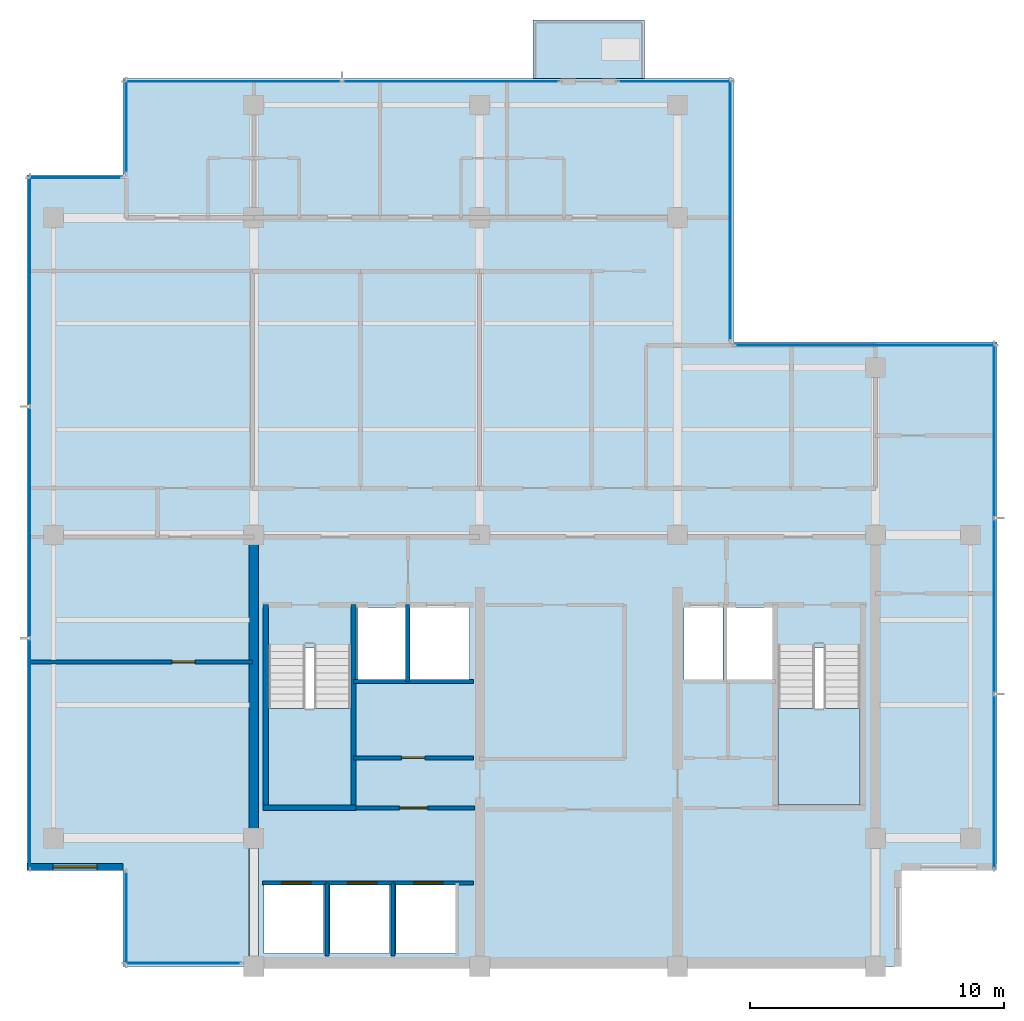
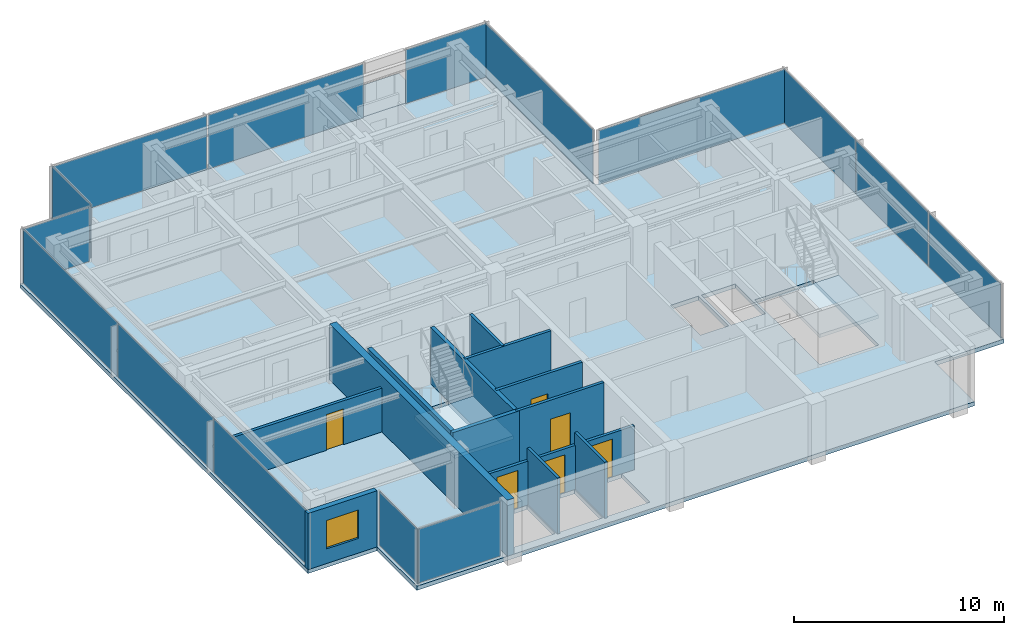
# One storey, part 5 of 11: 15 plates, 13 walls, 6 doors, 4 slabs, 1 window, 7 openings, 12 elements without a shape of their own.
"""IFC4 building model written with IfcOpenShell, lengths in metres."""

from ifc_helpers import new_model, si_unit, direction, frame, frame_2d, origin, origin_2d, place, context, subcontext, project, spatial, polyline, rectangle, outline, extrude, material, layer, layer_set, type_object, element, fill, aggregate, save


model = new_model("IFC4")

# Units and contexts
model_context = context("Model", 3, precision=1e-05, world=origin(), true_north=direction((0.0, 1.0)))
body_context = subcontext(model_context, "Body", "Model", "MODEL_VIEW")
ifc_project = project(units=[si_unit("LENGTHUNIT", "METRE"), si_unit("AREAUNIT", "SQUARE_METRE"), si_unit("VOLUMEUNIT", "CUBIC_METRE"), si_unit("PLANEANGLEUNIT", "RADIAN"), si_unit("MASSUNIT", "GRAM", prefix="KILO")], contexts=[model_context])

# Site, building, storey
site_placement = place(None, origin())
site = spatial("IfcSite", under=ifc_project, at=site_placement, CompositionType="ELEMENT")
building_placement = place(site_placement, origin())
building = spatial("IfcBuilding", under=site, at=building_placement, Name="Qalmaran Belvedere Hotel", CompositionType="ELEMENT")
storey_placement = place(building_placement, frame((0.0, 0.0, 259.89990234375)))
storey = spatial("IfcBuildingStorey", under=building, at=storey_placement, Name="L67", CompositionType="ELEMENT", Elevation=259.89990234375)

# Curtain wall, plate
ifc_material_1 = material(Name="Anodised Bronze Aluminium", Category="aluminium")
ifc_layer_1 = layer(ifc_material_1, 0.18505859375, Name="Anodised Bronze Aluminium")
ifc_layer_set_1 = layer_set([ifc_layer_1], Name="Anodised Bronze Aluminium")
curtain_wall_type = type_object("IfcCurtainWallType", Name="CW6-TOWER-SKY", PredefinedType="NOTDEFINED", material=ifc_layer_set_1)
curtain_wall_1_placement = place(storey_placement, origin())
curtain_wall_1 = element("IfcCurtainWall", 1, at=curtain_wall_1_placement, inside=storey, type_object=curtain_wall_type, Name="L67 Curtain Wall CW6", PredefinedType="NOTDEFINED")
ifc_material_2 = material(Name="Solar-Control Double Glazing", Category="glass")
ifc_layer_2 = layer(ifc_material_2, 0.028076171875, Name="Solar-Control Double Glazing")
ifc_layer_set_2 = layer_set([ifc_layer_2], Name="Solar-Control Double Glazing")
plate_type = type_object("IfcPlateType", Name="CWP-VISION-28", PredefinedType="CURTAIN_PANEL", material=ifc_layer_set_2)
plate_1_placement = place(storey_placement, frame((17.5048828125, 3.6201171875, 0.065185546875), z_axis=(0.0, 0.0, 1.0), x_axis=(1.0, 0.0, 0.0)))
plate_1 = element("IfcPlate", 2, at=plate_1_placement, type_object=plate_type, Name="CW6 panel 1.1", PredefinedType="CURTAIN_PANEL", context=body_context, shape_type="SweptSolid", body=[
    extrude(rectangle(XDim=4.580078125, YDim=0.028076171875, at=origin_2d()), origin(), (0.0, 0.0, 1.0), 3.1298828125),
])
aggregate(curtain_wall_1, [plate_1])

# Curtain wall, plates
curtain_wall_2_placement = place(storey_placement, origin())
curtain_wall_2 = element("IfcCurtainWall", 3, at=curtain_wall_2_placement, inside=storey, type_object=curtain_wall_type, Name="L67 Curtain Wall CW6", PredefinedType="NOTDEFINED")
plate_2_placement = place(storey_placement, frame((49.47998046875, 10.782958984375, 0.065185546875), z_axis=(0.0, 0.0, 1.0), x_axis=(0.0, 1.0, 0.0)))
plate_2 = element("IfcPlate", 4, at=plate_2_placement, type_object=plate_type, Name="CW6 panel 1.1", PredefinedType="CURTAIN_PANEL", context=body_context, shape_type="SweptSolid", body=[
    extrude(rectangle(XDim=6.8359375, YDim=0.028076171875, at=origin_2d()), origin(), (0.0, 0.0, 1.0), 3.1298828125),
])
plate_3_placement = place(storey_placement, frame((49.47998046875, 17.699951171875, 0.065185546875), z_axis=(0.0, 0.0, 1.0), x_axis=(0.0, 1.0, 0.0)))
plate_3 = element("IfcPlate", 5, at=plate_3_placement, type_object=plate_type, Name="CW6 panel 2.1", PredefinedType="CURTAIN_PANEL", context=body_context, shape_type="SweptSolid", body=[
    extrude(rectangle(XDim=6.868408203125, YDim=0.028076171875, at=origin_2d()), origin(), (0.0, 0.0, 1.0), 3.1298828125),
])
plate_4_placement = place(storey_placement, frame((49.47998046875, 24.6171875, 0.065185546875), z_axis=(0.0, 0.0, 1.0), x_axis=(0.0, 1.0, 0.0)))
plate_4 = element("IfcPlate", 6, at=plate_4_placement, type_object=plate_type, Name="CW6 panel 3.1", PredefinedType="CURTAIN_PANEL", context=body_context, shape_type="SweptSolid", body=[
    extrude(rectangle(XDim=6.8359375, YDim=0.028076171875, at=origin_2d()), origin(), (0.0, 0.0, 1.0), 3.1298828125),
])
aggregate(curtain_wall_2, [plate_2, plate_3, plate_4])

# Curtain wall, plate
curtain_wall_3_placement = place(storey_placement, origin())
curtain_wall_3 = element("IfcCurtainWall", 7, at=curtain_wall_3_placement, inside=storey, type_object=curtain_wall_type, Name="L67 Curtain Wall CW6", PredefinedType="NOTDEFINED")
plate_5_placement = place(storey_placement, frame((44.39990234375, 27.97998046875, 0.065185546875), z_axis=(0.0, 0.0, 1.0), x_axis=(-1.0, 0.0, 0.0)))
plate_5 = element("IfcPlate", 8, at=plate_5_placement, type_object=plate_type, Name="CW6 panel 1.1", PredefinedType="CURTAIN_PANEL", context=body_context, shape_type="SweptSolid", body=[
    extrude(rectangle(XDim=10.27001953125, YDim=0.028076171875, at=origin_2d()), origin(), (0.0, 0.0, 1.0), 3.1298828125),
])
aggregate(curtain_wall_3, [plate_5])

curtain_wall_4_placement = place(storey_placement, origin())
curtain_wall_4 = element("IfcCurtainWall", 9, at=curtain_wall_4_placement, inside=storey, type_object=curtain_wall_type, Name="L67 Curtain Wall CW6", PredefinedType="NOTDEFINED")
plate_6_placement = place(storey_placement, frame((39.080078125, 33.300048828125, 0.065185546875), z_axis=(0.0, 0.0, 1.0), x_axis=(0.0, 1.0, 0.0)))
plate_6 = element("IfcPlate", 10, at=plate_6_placement, type_object=plate_type, Name="CW6 panel 1.1", PredefinedType="CURTAIN_PANEL", context=body_context, shape_type="SweptSolid", body=[
    extrude(rectangle(XDim=10.27001953125, YDim=0.028076171875, at=origin_2d()), origin(), (0.0, 0.0, 1.0), 3.1298828125),
])
aggregate(curtain_wall_4, [plate_6])

# Curtain wall, plates
curtain_wall_5_placement = place(storey_placement, origin())
curtain_wall_5 = element("IfcCurtainWall", 11, at=curtain_wall_5_placement, inside=storey, type_object=curtain_wall_type, Name="L67 Curtain Wall CW6", PredefinedType="NOTDEFINED")
plate_7_placement = place(storey_placement, frame((28.0712890625, 38.3798828125, 0.065185546875), z_axis=(0.0, 0.0, 1.0), x_axis=(-1.0, 0.0, 0.0)))
plate_7 = element("IfcPlate", 12, at=plate_7_placement, type_object=plate_type, Name="CW6 panel 1.1", PredefinedType="CURTAIN_PANEL", context=body_context, shape_type="SweptSolid", body=[
    extrude(rectangle(XDim=8.527587890625, YDim=0.028076171875, at=origin_2d()), origin(), (0.0, 0.0, 1.0), 3.1298828125),
])
plate_8_placement = place(storey_placement, frame((19.478759765625, 38.3798828125, 0.065185546875), z_axis=(0.0, 0.0, 1.0), x_axis=(-1.0, 0.0, 0.0)))
plate_8 = element("IfcPlate", 13, at=plate_8_placement, type_object=plate_type, Name="CW6 panel 2.1", PredefinedType="CURTAIN_PANEL", context=body_context, shape_type="SweptSolid", body=[
    extrude(rectangle(XDim=8.527587890625, YDim=0.028076171875, at=origin_2d()), origin(), (0.0, 0.0, 1.0), 3.1298828125),
])
aggregate(curtain_wall_5, [plate_7, plate_8])

# Curtain wall, plate
curtain_wall_6_placement = place(storey_placement, origin())
curtain_wall_6 = element("IfcCurtainWall", 14, at=curtain_wall_6_placement, inside=storey, type_object=curtain_wall_type, Name="L67 Curtain Wall CW6", PredefinedType="NOTDEFINED")
plate_9_placement = place(storey_placement, frame((36.89990234375, 38.3798828125, 0.065185546875), z_axis=(0.0, 0.0, 1.0), x_axis=(-1.0, 0.0, 0.0)))
plate_9 = element("IfcPlate", 15, at=plate_9_placement, type_object=plate_type, Name="CW6 panel 1.1", PredefinedType="CURTAIN_PANEL", context=body_context, shape_type="SweptSolid", body=[
    extrude(rectangle(XDim=4.469970703125, YDim=0.028076171875, at=origin_2d()), origin(), (0.0, 0.0, 1.0), 3.1298828125),
])
aggregate(curtain_wall_6, [plate_9])

curtain_wall_7_placement = place(storey_placement, origin())
curtain_wall_7 = element("IfcCurtainWall", 16, at=curtain_wall_7_placement, inside=storey, type_object=curtain_wall_type, Name="L67 Curtain Wall CW6", PredefinedType="NOTDEFINED")
plate_10_placement = place(storey_placement, frame((15.27001953125, 36.60009765625, 0.065185546875), z_axis=(0.0, 0.0, 1.0), x_axis=(0.0, -1.0, 0.0)))
plate_10 = element("IfcPlate", 17, at=plate_10_placement, type_object=plate_type, Name="CW6 panel 1.1", PredefinedType="CURTAIN_PANEL", context=body_context, shape_type="SweptSolid", body=[
    extrude(rectangle(XDim=3.669921875, YDim=0.028076171875, at=origin_2d()), origin(), (0.0, 0.0, 1.0), 3.1298828125),
])
aggregate(curtain_wall_7, [plate_10])

curtain_wall_8_placement = place(storey_placement, origin())
curtain_wall_8 = element("IfcCurtainWall", 18, at=curtain_wall_8_placement, inside=storey, type_object=curtain_wall_type, Name="L67 Curtain Wall CW6", PredefinedType="NOTDEFINED")
plate_11_placement = place(storey_placement, frame((13.25, 34.580078125, 0.065185546875), z_axis=(0.0, 0.0, 1.0), x_axis=(-1.0, 0.0, 0.0)))
plate_11 = element("IfcPlate", 19, at=plate_11_placement, type_object=plate_type, Name="CW6 panel 1.1", PredefinedType="CURTAIN_PANEL", context=body_context, shape_type="SweptSolid", body=[
    extrude(rectangle(XDim=3.669921875, YDim=0.028076171875, at=origin_2d()), origin(), (0.0, 0.0, 1.0), 3.1298828125),
])
aggregate(curtain_wall_8, [plate_11])

# Curtain wall, plates
curtain_wall_9_placement = place(storey_placement, origin())
curtain_wall_9 = element("IfcCurtainWall", 20, at=curtain_wall_9_placement, inside=storey, type_object=curtain_wall_type, Name="L67 Curtain Wall CW6", PredefinedType="NOTDEFINED")
plate_12_placement = place(storey_placement, frame((11.469970703125, 30.1171875, 0.065185546875), z_axis=(0.0, 0.0, 1.0), x_axis=(0.0, -1.0, 0.0)))
plate_12 = element("IfcPlate", 21, at=plate_12_placement, type_object=plate_type, Name="CW6 panel 1.1", PredefinedType="CURTAIN_PANEL", context=body_context, shape_type="SweptSolid", body=[
    extrude(rectangle(XDim=9.035888671875, YDim=0.028076171875, at=origin_2d()), origin(), (0.0, 0.0, 1.0), 3.1298828125),
])
plate_13_placement = place(storey_placement, frame((11.469970703125, 21.0, 0.065185546875), z_axis=(0.0, 0.0, 1.0), x_axis=(0.0, -1.0, 0.0)))
plate_13 = element("IfcPlate", 22, at=plate_13_placement, type_object=plate_type, Name="CW6 panel 2.1", PredefinedType="CURTAIN_PANEL", context=body_context, shape_type="SweptSolid", body=[
    extrude(rectangle(XDim=9.068359375, YDim=0.028076171875, at=origin_2d()), origin(), (0.0, 0.0, 1.0), 3.1298828125),
])
plate_14_placement = place(storey_placement, frame((11.469970703125, 11.8828125, 0.065185546875), z_axis=(0.0, 0.0, 1.0), x_axis=(0.0, -1.0, 0.0)))
plate_14 = element("IfcPlate", 23, at=plate_14_placement, type_object=plate_type, Name="CW6 panel 3.1", PredefinedType="CURTAIN_PANEL", context=body_context, shape_type="SweptSolid", body=[
    extrude(rectangle(XDim=9.035888671875, YDim=0.028076171875, at=origin_2d()), origin(), (0.0, 0.0, 1.0), 3.1298828125),
])
aggregate(curtain_wall_9, [plate_12, plate_13, plate_14])

# Curtain wall, plate
curtain_wall_10_placement = place(storey_placement, origin())
curtain_wall_10 = element("IfcCurtainWall", 24, at=curtain_wall_10_placement, inside=storey, type_object=curtain_wall_type, Name="L67 Curtain Wall CW6", PredefinedType="NOTDEFINED")
plate_15_placement = place(storey_placement, frame((15.27001953125, 5.39990234375, 0.065185546875), z_axis=(0.0, 0.0, 1.0), x_axis=(0.0, -1.0, 0.0)))
plate_15 = element("IfcPlate", 25, at=plate_15_placement, type_object=plate_type, Name="CW6 panel 1.1", PredefinedType="CURTAIN_PANEL", context=body_context, shape_type="SweptSolid", body=[
    extrude(rectangle(XDim=3.669921875, YDim=0.028076171875, at=origin_2d()), origin(), (0.0, 0.0, 1.0), 3.1298828125),
])
aggregate(curtain_wall_10, [plate_15])

# Slab
ifc_material_3 = material(Name="Concrete C40/50", Category="concrete")
ifc_layer_3 = layer(ifc_material_3, 0.219970703125, Name="Concrete C40/50")
ifc_layer_set_3 = layer_set([ifc_layer_3], Name="Concrete C40/50")
slab_type_1 = type_object("IfcSlabType", Name="SLB-BAL-220", PredefinedType="USERDEFINED", material=ifc_layer_set_3)
slab_1_placement = place(storey_placement, frame((0.0, 0.0, -0.219970703125)))
element("IfcSlab", 26, at=slab_1_placement, inside=storey, type_object=slab_type_1, Name="L67 Planted Tree Balcony Slab 1", ObjectType="BALCONY", PredefinedType="USERDEFINED", context=body_context, shape_type="SweptSolid", body=[
    extrude(outline(polyline([(31.300048828125, 38.5), (35.699951171875, 38.5), (35.699951171875, 40.800048828125), (31.300048828125, 40.800048828125), (31.300048828125, 38.5)])), origin(), (0.0, 0.0, 1.0), 0.219970703125),
])

# Stair, slab
stair_type_1 = type_object("IfcStairType", Name="STR-ST-1-1450-R1750", PredefinedType="HALF_TURN_STAIR", material=ifc_material_3)
stair_1_placement = place(storey_placement, origin())
stair_1 = element("IfcStair", 27, at=stair_1_placement, inside=storey, type_object=stair_type_1, Name="L67 West Core Exit Stair ST-1", PredefinedType="HALF_TURN_STAIR")
ifc_layer_4 = layer(ifc_material_3, 0.199951171875, Name="Concrete C40/50")
ifc_layer_set_4 = layer_set([ifc_layer_4], Name="Concrete C40/50")
slab_type_2 = type_object("IfcSlabType", Name="SLB-STAIR-LANDING-200", PredefinedType="LANDING", material=ifc_layer_set_4)
slab_2_placement = place(storey_placement, frame((0.0, 0.0, 1.550048828125)))
slab_2 = element("IfcSlab", 28, at=slab_2_placement, type_object=slab_type_2, Name="ST-1 landing 1", PredefinedType="LANDING", context=body_context, shape_type="SweptSolid", body=[
    extrude(outline(polyline([(20.8798828125, 13.669921875), (20.8798828125, 9.85009765625), (24.1201171875, 9.85009765625), (24.1201171875, 13.669921875), (20.8798828125, 13.669921875)])), origin(), (0.0, 0.0, 1.0), 0.199951171875),
])
aggregate(stair_1, [slab_2])

stair_type_2 = type_object("IfcStairType", Name="STR-ST-2-1450-R1750", PredefinedType="HALF_TURN_STAIR", material=ifc_material_3)
stair_2_placement = place(storey_placement, origin())
stair_2 = element("IfcStair", 29, at=stair_2_placement, inside=storey, type_object=stair_type_2, Name="L67 East Core Exit Stair ST-2", PredefinedType="HALF_TURN_STAIR")
slab_3_placement = place(storey_placement, frame((0.0, 0.0, 1.550048828125)))
slab_3 = element("IfcSlab", 30, at=slab_3_placement, type_object=slab_type_2, Name="ST-2 landing 1", PredefinedType="LANDING", context=body_context, shape_type="SweptSolid", body=[
    extrude(outline(polyline([(40.9599609375, 13.669921875), (40.9599609375, 9.85009765625), (44.199951171875, 9.85009765625), (44.199951171875, 13.669921875), (40.9599609375, 13.669921875)])), origin(), (0.0, 0.0, 1.0), 0.199951171875),
])
aggregate(stair_2, [slab_3])

# Slab
ifc_layer_5 = layer(ifc_material_3, 0.239990234375, Name="Concrete C40/50")
ifc_layer_set_5 = layer_set([ifc_layer_5], Name="Concrete C40/50")
slab_type_3 = type_object("IfcSlabType", Name="SLB-Z4-240", PredefinedType="FLOOR", material=ifc_layer_set_5)
slab_4_placement = place(storey_placement, frame((0.0, 0.0, -0.239990234375)))
element("IfcSlab", 31, at=slab_4_placement, inside=storey, type_object=slab_type_3, Name="L67 Structural Floor Slab", PredefinedType="FLOOR", context=body_context, shape_type="SweptSolid", body=[
    extrude(outline(polyline([(15.14990234375, 3.5), (45.800048828125, 3.5), (45.800048828125, 7.300048828125), (49.60009765625, 7.300048828125), (49.60009765625, 28.10009765625), (39.199951171875, 28.10009765625), (39.199951171875, 38.5), (15.14990234375, 38.5), (15.14990234375, 34.699951171875), (11.35009765625, 34.699951171875), (11.35009765625, 7.300048828125), (15.14990234375, 7.300048828125), (15.14990234375, 3.5)]), holes=[polyline([(20.8798828125, 9.85009765625), (24.1201171875, 9.85009765625), (24.1201171875, 16.0400390625), (20.8798828125, 16.0400390625), (20.8798828125, 9.85009765625)]), polyline([(40.9599609375, 9.85009765625), (44.199951171875, 9.85009765625), (44.199951171875, 16.0400390625), (40.9599609375, 16.0400390625), (40.9599609375, 9.85009765625)]), polyline([(20.699951171875, 4.0), (23.050048828125, 4.0), (23.050048828125, 6.699951171875), (20.699951171875, 6.699951171875), (20.699951171875, 4.0)]), polyline([(23.300048828125, 4.0), (25.64990234375, 4.0), (25.64990234375, 6.699951171875), (23.300048828125, 6.699951171875), (23.300048828125, 4.0)]), polyline([(25.89990234375, 4.0), (28.25, 4.0), (28.25, 6.699951171875), (25.89990234375, 6.699951171875), (25.89990234375, 4.0)]), polyline([(24.39990234375, 14.800048828125), (26.300048828125, 14.800048828125), (26.300048828125, 17.64990234375), (24.39990234375, 17.64990234375), (24.39990234375, 14.800048828125)]), polyline([(38.949951171875, 14.800048828125), (40.820068359375, 14.800048828125), (40.820068359375, 17.64990234375), (38.949951171875, 17.64990234375), (38.949951171875, 14.800048828125)]), polyline([(26.449951171875, 14.800048828125), (28.800048828125, 14.800048828125), (28.800048828125, 17.64990234375), (26.449951171875, 17.64990234375), (26.449951171875, 14.800048828125)]), polyline([(37.25, 14.800048828125), (38.800048828125, 14.800048828125), (38.800048828125, 17.64990234375), (37.25, 17.64990234375), (37.25, 14.800048828125)])]), origin(), (0.0, 0.0, 1.0), 0.239990234375),
])

# Wall
ifc_material_4 = material(Name="Concrete C50/60", Category="concrete")
ifc_layer_6 = layer(ifc_material_4, 0.3798828125, Name="Concrete C50/60")
ifc_layer_set_6 = layer_set([ifc_layer_6], Name="Concrete C50/60")
wall_type_1 = type_object("IfcWallType", Name="WL-CORE-380-C50", PredefinedType="SHEAR", material=ifc_layer_set_6)
wall_1_placement = place(storey_placement, frame((20.300048828125, 3.5, 0.0), z_axis=(0.0, 0.0, 1.0), x_axis=(0.0, 1.0, 0.0)))
element("IfcWall", 32, at=wall_1_placement, inside=storey, type_object=wall_type_1, Name="L67 West Core Shear Wall", PredefinedType="SHEAR", context=body_context, shape_type="SweptSolid", body=[
    extrude(rectangle(XDim=16.89990234375, YDim=0.3798828125, at=frame_2d((8.449951171875, 0.0))), origin(), (0.0, 0.0, 1.0), 3.260009765625),
])

# Wall, opening, window
ifc_material_5 = material(Name="Anodised Bronze Cladding")
ifc_layer_7 = layer(ifc_material_5, 0.280029296875, Name="Anodised Bronze Cladding")
ifc_layer_set_7 = layer_set([ifc_layer_7], Name="Anodised Bronze Cladding")
wall_type_2 = type_object("IfcWallType", Name="WL-EXT-BRNZ-280", PredefinedType="SOLIDWALL", material=ifc_layer_set_7)
wall_2_placement = place(storey_placement, frame((11.35009765625, 7.419921875, 0.0), z_axis=(0.0, 0.0, 1.0), x_axis=(1.0, 0.0, 0.0)))
wall_2 = element("IfcWall", 33, at=wall_2_placement, inside=storey, type_object=wall_type_2, Name="L67 Corner Notch Wall 10", PredefinedType="SOLIDWALL", context=body_context, shape_type="SweptSolid", body=[
    extrude(rectangle(XDim=3.7998046875, YDim=0.280029296875, at=frame_2d((1.89990234375, 0.0))), origin(), (0.0, 0.0, 1.0), 3.260009765625),
])
opening_1_placement = place(wall_2_placement, frame((1.02490234375, 0.0, 0.85009765625)))
opening_1 = element("IfcOpeningElement", 34, at=opening_1_placement, cuts=wall_2, Name="Opening W-N17", PredefinedType="OPENING", context=body_context, shape_type="SweptSolid", body=[
    extrude(rectangle(XDim=1.75, YDim=1.64990234375, at=frame_2d((0.875, 0.824951171875))), frame((0.0, 0.14990234375, 0.0), z_axis=(0.0, -1.0, 0.0), x_axis=(1.0, 0.0, 0.0)), (0.0, 0.0, 1.0), 0.300048828125),
])
window_type = type_object("IfcWindowType", Name="WN-NTC-1750X1650", PartitioningType="SINGLE_PANEL", PredefinedType="WINDOW", material=ifc_material_2)
window_placement = place(opening_1_placement, origin())
window = element("IfcWindow", 35, at=window_placement, inside=storey, type_object=window_type, Name="L67 Corner Notch Window 10", OverallHeight=1.64990234375, OverallWidth=1.75, PartitioningType="SINGLE_PANEL", PredefinedType="WINDOW", context=body_context, shape_type="SweptSolid", body=[
    extrude(rectangle(XDim=1.75, YDim=1.64990234375, at=frame_2d((0.875, 0.824951171875))), frame((0.0, 0.030029296875, 0.0), z_axis=(0.0, -1.0, 0.0), x_axis=(1.0, 0.0, 0.0)), (0.0, 0.0, 1.0), 0.06005859375),
])
fill(opening_1, window)

# Walls
ifc_material_6 = material(Name="Gypsum Stud Partition")
ifc_layer_8 = layer(ifc_material_6, 0.14990234375, Name="Gypsum Stud Partition")
ifc_layer_set_8 = layer_set([ifc_layer_8], Name="Gypsum Stud Partition")
wall_type_3 = type_object("IfcWallType", Name="WL-INT-150-EI120", PredefinedType="PARTITIONING", material=ifc_layer_set_8)
wall_3_placement = place(storey_placement, frame((26.360107421875, 14.719970703125, 0.0), z_axis=(0.0, 0.0, 1.0), x_axis=(0.0, 1.0, 0.0)))
element("IfcWall", 36, at=wall_3_placement, inside=storey, type_object=wall_type_3, Name="L67 Partition WL-FF1M-L67", PredefinedType="PARTITIONING", context=body_context, shape_type="SweptSolid", body=[
    extrude(rectangle(XDim=3.0400390625, YDim=0.14990234375, at=frame_2d((1.52001953125, 0.0))), origin(), (0.0, 0.0, 1.0), 3.260009765625),
])
for number, where, z_axis, x_axis, name in (
    (37, (23.179931640625, 3.89990234375, 0.0), (0.0, 0.0, 1.0), (0.0, 1.0, 0.0), "L67 Partition WL-POM1-L67"),
    (38, (25.780029296875, 3.89990234375, 0.0), (0.0, 0.0, 1.0), (0.0, 1.0, 0.0), "L67 Partition WL-POM2-L67"),
):
    element("IfcWall", number, at=place(storey_placement, frame(where, z_axis=z_axis, x_axis=x_axis)), inside=storey, type_object=wall_type_3, Name=name, PredefinedType="PARTITIONING", context=body_context, shape_type="SweptSolid", body=[
        extrude(rectangle(XDim=2.880126953125, YDim=0.14990234375, at=frame_2d((1.43994140625, 0.0))), origin(), (0.0, 0.0, 1.0), 3.260009765625),
    ])
ifc_layer_9 = layer(ifc_material_6, 0.159912109375, Name="Gypsum Stud Partition")
ifc_layer_set_9 = layer_set([ifc_layer_9], Name="Gypsum Stud Partition")
wall_type_4 = type_object("IfcWallType", Name="WL-INT-160-EI120", PredefinedType="PARTITIONING", material=ifc_layer_set_9)
wall_4_placement = place(storey_placement, frame((24.219970703125, 14.719970703125, 0.0), z_axis=(0.0, 0.0, 1.0), x_axis=(1.0, 0.0, 0.0)))
element("IfcWall", 39, at=wall_4_placement, inside=storey, type_object=wall_type_4, Name="L67 Partition WL-FF1S-L67", PredefinedType="PARTITIONING", context=body_context, shape_type="SweptSolid", body=[
    extrude(rectangle(XDim=4.72998046875, YDim=0.159912109375, at=frame_2d((2.364990234375, 0.0))), origin(), (0.0, 0.0, 1.0), 3.260009765625),
])

# Wall, openings, doors
wall_5_placement = place(storey_placement, frame((20.64990234375, 6.780029296875, 0.0), z_axis=(0.0, 0.0, 1.0), x_axis=(1.0, 0.0, 0.0)))
wall_5 = element("IfcWall", 40, at=wall_5_placement, inside=storey, type_object=wall_type_4, Name="L67 Partition WL-POS-L67", PredefinedType="PARTITIONING", context=body_context, shape_type="SweptSolid", body=[
    extrude(rectangle(XDim=8.300048828125, YDim=0.159912109375, at=frame_2d((4.14990234375, 0.0))), origin(), (0.0, 0.0, 1.0), 2.550048828125),
])
opening_2_placement = place(wall_5_placement, frame((0.75, 0.0, 0.0)))
opening_2 = element("IfcOpeningElement", 41, at=opening_2_placement, cuts=wall_5, Name="Opening LD-PO", PredefinedType="OPENING", context=body_context, shape_type="SweptSolid", body=[
    extrude(rectangle(XDim=1.14990234375, YDim=2.199951171875, at=frame_2d((0.574951171875, 1.10009765625))), frame((0.0, 0.08984375, 0.0), z_axis=(0.0, -1.0, 0.0), x_axis=(1.0, 0.0, 0.0)), (0.0, 0.0, 1.0), 0.179931640625),
])
opening_3_placement = place(wall_5_placement, frame((3.35009765625, 0.0, 0.0)))
opening_3 = element("IfcOpeningElement", 42, at=opening_3_placement, cuts=wall_5, Name="Opening LD-PO", PredefinedType="OPENING", context=body_context, shape_type="SweptSolid", body=[
    extrude(rectangle(XDim=1.14990234375, YDim=2.199951171875, at=frame_2d((0.574951171875, 1.10009765625))), frame((0.0, 0.08984375, 0.0), z_axis=(0.0, -1.0, 0.0), x_axis=(1.0, 0.0, 0.0)), (0.0, 0.0, 1.0), 0.179931640625),
])
opening_4_placement = place(wall_5_placement, frame((5.949951171875, 0.0, 0.0)))
opening_4 = element("IfcOpeningElement", 43, at=opening_4_placement, cuts=wall_5, Name="Opening LD-PO", PredefinedType="OPENING", context=body_context, shape_type="SweptSolid", body=[
    extrude(rectangle(XDim=1.14990234375, YDim=2.199951171875, at=frame_2d((0.574951171875, 1.10009765625))), frame((0.0, 0.08984375, 0.0), z_axis=(0.0, -1.0, 0.0), x_axis=(1.0, 0.0, 0.0)), (0.0, 0.0, 1.0), 0.179931640625),
])
door_type_1 = type_object("IfcDoorType", Name="DR-LIFT-PO-1150X2200", OperationType="DOUBLE_DOOR_SLIDING", PredefinedType="DOOR", material=ifc_material_1)
door_1_placement = place(opening_2_placement, origin())
door_1 = element("IfcDoor", 44, at=door_1_placement, inside=storey, type_object=door_type_1, Name="L67 PO1 Shuttle Landing Door", OperationType="DOUBLE_DOOR_SLIDING", OverallHeight=2.199951171875, OverallWidth=1.14990234375, PredefinedType="DOOR", context=body_context, shape_type="SweptSolid", body=[
    extrude(rectangle(XDim=1.14990234375, YDim=2.199951171875, at=frame_2d((0.574951171875, 1.10009765625))), frame((0.0, 0.02490234375, 0.0), z_axis=(0.0, -1.0, 0.0), x_axis=(1.0, 0.0, 0.0)), (0.0, 0.0, 1.0), 0.050048828125),
])
fill(opening_2, door_1)
door_2_placement = place(opening_3_placement, origin())
door_2 = element("IfcDoor", 45, at=door_2_placement, inside=storey, type_object=door_type_1, Name="L67 PO2 Shuttle Landing Door", OperationType="DOUBLE_DOOR_SLIDING", OverallHeight=2.199951171875, OverallWidth=1.14990234375, PredefinedType="DOOR", context=body_context, shape_type="SweptSolid", body=[
    extrude(rectangle(XDim=1.14990234375, YDim=2.199951171875, at=frame_2d((0.574951171875, 1.10009765625))), frame((0.0, 0.02490234375, 0.0), z_axis=(0.0, -1.0, 0.0), x_axis=(1.0, 0.0, 0.0)), (0.0, 0.0, 1.0), 0.050048828125),
])
fill(opening_3, door_2)
door_3_placement = place(opening_4_placement, origin())
door_3 = element("IfcDoor", 46, at=door_3_placement, inside=storey, type_object=door_type_1, Name="L67 PO3 Shuttle Landing Door", OperationType="DOUBLE_DOOR_SLIDING", OverallHeight=2.199951171875, OverallWidth=1.14990234375, PredefinedType="DOOR", context=body_context, shape_type="SweptSolid", body=[
    extrude(rectangle(XDim=1.14990234375, YDim=2.199951171875, at=frame_2d((0.574951171875, 1.10009765625))), frame((0.0, 0.02490234375, 0.0), z_axis=(0.0, -1.0, 0.0), x_axis=(1.0, 0.0, 0.0)), (0.0, 0.0, 1.0), 0.050048828125),
])
fill(opening_4, door_3)

# Wall, opening, door
wall_6_placement = place(storey_placement, frame((24.199951171875, 9.739990234375, 0.0), z_axis=(0.0, 0.0, 1.0), x_axis=(1.0, 0.0, 0.0)))
wall_6 = element("IfcWall", 47, at=wall_6_placement, inside=storey, type_object=wall_type_4, Name="L67 Partition WL-PON-L67", PredefinedType="PARTITIONING", context=body_context, shape_type="SweptSolid", body=[
    extrude(rectangle(XDim=4.800048828125, YDim=0.159912109375, at=frame_2d((2.39990234375, 0.0))), origin(), (0.0, 0.0, 1.0), 3.260009765625),
])
opening_5_placement = place(wall_6_placement, frame((1.85009765625, 0.0, 0.0)))
opening_5 = element("IfcOpeningElement", 48, at=opening_5_placement, cuts=wall_6, Name="Opening FD90", PredefinedType="OPENING", context=body_context, shape_type="SweptSolid", body=[
    extrude(rectangle(XDim=1.10009765625, YDim=2.14990234375, at=frame_2d((0.550048828125, 1.074951171875))), frame((0.0, 0.08984375, 0.0), z_axis=(0.0, -1.0, 0.0), x_axis=(1.0, 0.0, 0.0)), (0.0, 0.0, 1.0), 0.179931640625),
])
ifc_material_7 = material(Name="Steel S355JR", Category="steel")
door_type_2 = type_object("IfcDoorType", Name="DR-FD90-1100X2150", OperationType="NOTDEFINED", PredefinedType="DOOR", material=ifc_material_7)
door_4_placement = place(opening_5_placement, origin())
door_4 = element("IfcDoor", 49, at=door_4_placement, inside=storey, type_object=door_type_2, Name="L67 Shuttle Lobby Passage Door", OperationType="SINGLE_SWING_LEFT", OverallHeight=2.14990234375, OverallWidth=1.10009765625, PredefinedType="DOOR", context=body_context, shape_type="SweptSolid", body=[
    extrude(rectangle(XDim=1.10009765625, YDim=2.14990234375, at=frame_2d((0.550048828125, 1.074951171875))), frame((0.0, 0.02490234375, 0.0), z_axis=(0.0, -1.0, 0.0), x_axis=(1.0, 0.0, 0.0)), (0.0, 0.0, 1.0), 0.050048828125),
])
fill(opening_5, door_4)

ifc_layer_10 = layer(ifc_material_6, 0.159912109375, Name="Gypsum Stud Partition")
ifc_layer_set_10 = layer_set([ifc_layer_10], Name="Gypsum Stud Partition")
wall_type_5 = type_object("IfcWallType", Name="WL-INT-160-EI60", PredefinedType="PARTITIONING", material=ifc_layer_set_10)
wall_7_placement = place(storey_placement, frame((24.219970703125, 11.719970703125, 0.0), z_axis=(0.0, 0.0, 1.0), x_axis=(1.0, 0.0, 0.0)))
wall_7 = element("IfcWall", 50, at=wall_7_placement, inside=storey, type_object=wall_type_5, Name="L67 Partition WL-L67-KWE1", PredefinedType="PARTITIONING", context=body_context, shape_type="SweptSolid", body=[
    extrude(rectangle(XDim=4.72998046875, YDim=0.159912109375, at=frame_2d((2.364990234375, 0.0))), origin(), (0.0, 0.0, 1.0), 3.260009765625),
])
opening_6_placement = place(wall_7_placement, frame((1.905029296875, 0.0, 0.0)))
opening_6 = element("IfcOpeningElement", 51, at=opening_6_placement, cuts=wall_7, Name="Opening FD60S1", PredefinedType="OPENING", context=body_context, shape_type="SweptSolid", body=[
    extrude(rectangle(XDim=0.919921875, YDim=2.080078125, at=frame_2d((0.4599609375, 1.0400390625))), frame((0.0, 0.08984375, 0.0), z_axis=(0.0, -1.0, 0.0), x_axis=(1.0, 0.0, 0.0)), (0.0, 0.0, 1.0), 0.179931640625),
])
ifc_material_8 = material(Name="Engineered Oak Veneer")
door_type_3 = type_object("IfcDoorType", Name="DR-FD60S-920X2080", OperationType="NOTDEFINED", PredefinedType="DOOR", material=ifc_material_8)
door_5_placement = place(opening_6_placement, origin())
door_5 = element("IfcDoor", 52, at=door_5_placement, inside=storey, type_object=door_type_3, Name="L67 Electrical Distribution Room Door", OperationType="SINGLE_SWING_RIGHT", OverallHeight=2.080078125, OverallWidth=0.919921875, PredefinedType="DOOR", context=body_context, shape_type="SweptSolid", body=[
    extrude(rectangle(XDim=0.919921875, YDim=2.080078125, at=frame_2d((0.4599609375, 1.0400390625))), frame((0.0, 0.02490234375, 0.0), z_axis=(0.0, -1.0, 0.0), x_axis=(1.0, 0.0, 0.0)), (0.0, 0.0, 1.0), 0.050048828125),
])
fill(opening_6, door_5)

wall_8_placement = place(storey_placement, frame((11.469970703125, 15.5, 0.0), z_axis=(0.0, 0.0, 1.0), x_axis=(1.0, 0.0, 0.0)))
wall_8 = element("IfcWall", 53, at=wall_8_placement, inside=storey, type_object=wall_type_5, Name="L67 Partition WL-L67-C4WH1", PredefinedType="PARTITIONING", context=body_context, shape_type="SweptSolid", body=[
    extrude(rectangle(XDim=8.780029296875, YDim=0.159912109375, at=frame_2d((4.39013671875, 0.0))), origin(), (0.0, 0.0, 1.0), 2.550048828125),
])
opening_7_placement = place(wall_8_placement, frame((6.52001953125, 0.0, 0.0), z_axis=(0.0, 0.0, 1.0), x_axis=(-1.0, 0.0, 0.0)))
opening_7 = element("IfcOpeningElement", 54, at=opening_7_placement, cuts=wall_8, Name="Opening FD60S1", PredefinedType="OPENING", context=body_context, shape_type="SweptSolid", body=[
    extrude(rectangle(XDim=0.919921875, YDim=2.080078125, at=frame_2d((0.4599609375, 1.0400390625))), frame((0.0, 0.08984375, 0.0), z_axis=(0.0, -1.0, 0.0), x_axis=(1.0, 0.0, 0.0)), (0.0, 0.0, 1.0), 0.179931640625),
])
door_6_placement = place(opening_7_placement, origin())
door_6 = element("IfcDoor", 55, at=door_6_placement, inside=storey, type_object=door_type_3, Name="L67 SW Panorama Inner Door", OperationType="SINGLE_SWING_LEFT", OverallHeight=2.080078125, OverallWidth=0.919921875, PredefinedType="DOOR", context=body_context, shape_type="SweptSolid", body=[
    extrude(rectangle(XDim=0.919921875, YDim=2.080078125, at=frame_2d((0.4599609375, 1.0400390625))), frame((0.0, 0.02490234375, 0.0), z_axis=(0.0, -1.0, 0.0), x_axis=(1.0, 0.0, 0.0)), (0.0, 0.0, 1.0), 0.050048828125),
])
fill(opening_7, door_6)

# Walls
ifc_layer_11 = layer(ifc_material_4, 0.2099609375, Name="Concrete C50/60")
ifc_layer_set_11 = layer_set([ifc_layer_11], Name="Concrete C50/60")
wall_type_6 = type_object("IfcWallType", Name="WL-STAIR-210-C50", PredefinedType="SHEAR", material=ifc_layer_set_11)
for number, where, z_axis, x_axis, name in (
    (56, (20.77490234375, 9.7451171875, 0.0), (0.0, 0.0, 1.0), (0.0, 1.0, 0.0), "L67 Stair ST-1 West Bearing Wall"),
    (57, (24.22509765625, 9.7451171875, 0.0), (0.0, 0.0, 1.0), (0.0, 1.0, 0.0), "L67 Stair ST-1 East Bearing Wall"),
):
    element("IfcWall", number, at=place(storey_placement, frame(where, z_axis=z_axis, x_axis=x_axis)), inside=storey, type_object=wall_type_6, Name=name, PredefinedType="SHEAR", context=body_context, shape_type="SweptSolid", body=[
        extrude(rectangle(XDim=8.009765625, YDim=0.2099609375, at=frame_2d((4.0048828125, 0.0))), origin(), (0.0, 0.0, 1.0), 3.260009765625),
    ])
wall_9_placement = place(storey_placement, frame((20.669921875, 9.7451171875, 0.0), z_axis=(0.0, 0.0, 1.0), x_axis=(1.0, 0.0, 0.0)))
element("IfcWall", 58, at=wall_9_placement, inside=storey, type_object=wall_type_6, Name="L67 Stair ST-1 South Bearing Wall", PredefinedType="SHEAR", context=body_context, shape_type="SweptSolid", body=[
    extrude(rectangle(XDim=3.66015625, YDim=0.2099609375, at=frame_2d((1.830078125, 0.0))), origin(), (0.0, 0.0, 1.0), 3.260009765625),
])

save(model, "model.ifc")
